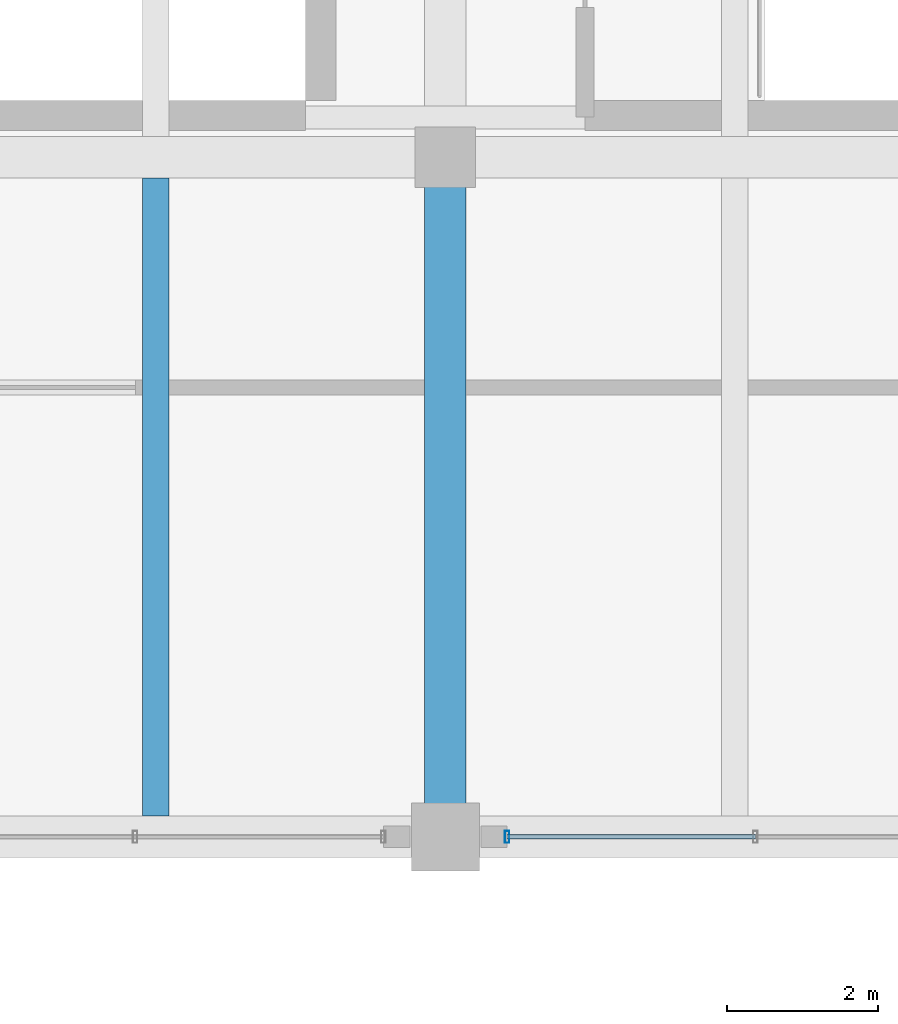
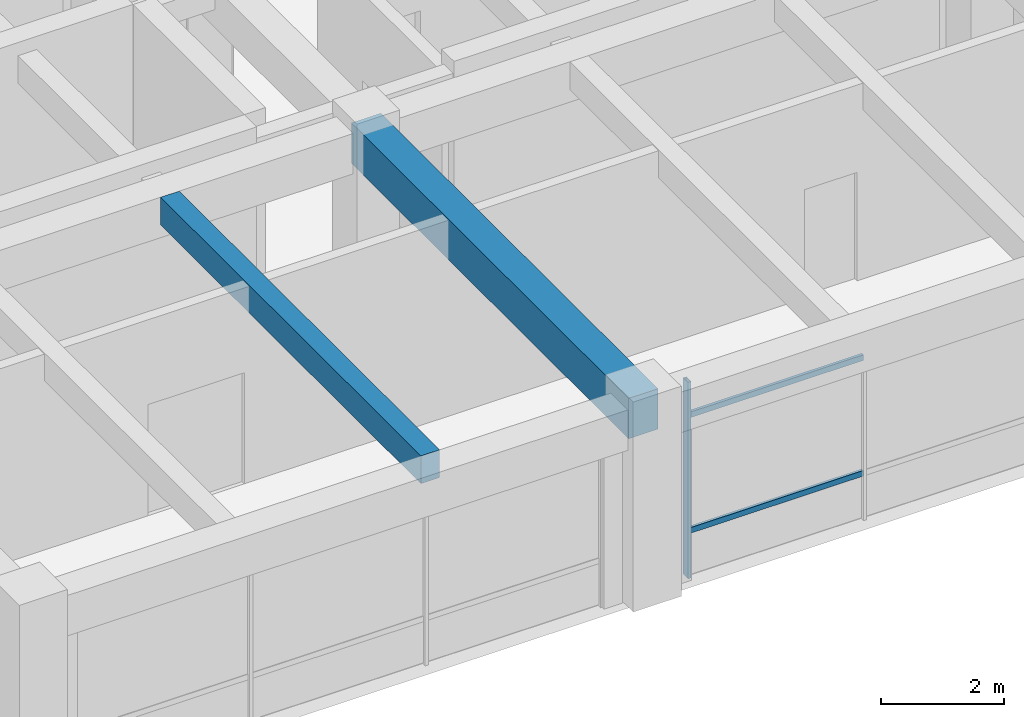
# One storey, part 4 of 33: 3 members, 2 beams, 1 element without a shape of its own.
"""IFC4 building model written with IfcOpenShell, lengths in metres."""

from ifc_helpers import new_model, si_unit, direction, frame, origin, origin_2d, place, context, subcontext, project, spatial, rectangle, hollow_rectangle, extrude, material, material_profile, profile_set, type_object, element, aggregate, save


model = new_model("IFC4")

# Units and contexts
model_context = context("Model", 3, precision=1e-05, world=origin(), true_north=direction((0.0, 1.0)))
body_context = subcontext(model_context, "Body", "Model", "MODEL_VIEW")
ifc_project = project(units=[si_unit("LENGTHUNIT", "METRE"), si_unit("AREAUNIT", "SQUARE_METRE"), si_unit("VOLUMEUNIT", "CUBIC_METRE"), si_unit("PLANEANGLEUNIT", "RADIAN"), si_unit("MASSUNIT", "GRAM", prefix="KILO")], contexts=[model_context])

# Site, building, storey
site_placement = place(None, origin())
site = spatial("IfcSite", under=ifc_project, at=site_placement, CompositionType="ELEMENT")
building_placement = place(site_placement, origin())
building = spatial("IfcBuilding", under=site, at=building_placement, Name="Ologun Quay Terminus", CompositionType="ELEMENT")
storey_placement = place(building_placement, frame((0.0, 0.0, 18.300048828125)))
storey = spatial("IfcBuildingStorey", under=building, at=storey_placement, Name="L04", CompositionType="ELEMENT", Elevation=18.300048828125)

# Curtain wall, members
ifc_material_1 = material(Name="Aluminium 6063-T6", Category="aluminium")
curtain_wall_type = type_object("IfcCurtainWallType", Name="Waterfront Pavilion Tea Salon Curtain Wall L04 10600x3800", PredefinedType="USERDEFINED", material=ifc_material_1)
curtain_wall_placement = place(storey_placement, origin())
curtain_wall = element("IfcCurtainWall", 1, at=curtain_wall_placement, inside=storey, type_object=curtain_wall_type, Name="CW-26 Curtain Wall CW-L04-116", ObjectType="UNITISED CURTAIN WALL", PredefinedType="USERDEFINED")
ifc_material_2 = material(Name="Aluminium 6063-T6", Category="aluminium")
ifc_material_profile_1 = material_profile(ifc_material_2, hollow_rectangle(XDim=0.06005859375, YDim=0.159912109375, WallThickness=0.00390625, at=origin_2d()), Name="ALU 160x60x4")
ifc_profile_set_1 = profile_set([ifc_material_profile_1], Name="Aluminium 6063-T6")
member_type_1 = type_object("IfcMemberType", Name="Courtyard Screen Mullion 160x65", PredefinedType="MULLION", material=ifc_profile_set_1)
member_1_placement = place(storey_placement, frame((35.320068359375, 85.800048828125, 0.0), z_axis=(0.0, 0.0, 1.0), x_axis=(1.0, 0.0, 0.0)))
member_1 = element("IfcMember", 2, at=member_1_placement, type_object=member_type_1, Name="CW-L04-116 Mullion 1", PredefinedType="MULLION", context=body_context, shape_type="SweptSolid", body=[
    extrude(hollow_rectangle(XDim=0.06005859375, YDim=0.159912109375, WallThickness=0.00390625, at=origin_2d()), origin(), (0.0, 0.0, 1.0), 3.889892578125),
])
ifc_material_3 = material(Name="Aluminium 6063-T6", Category="aluminium")
ifc_material_profile_2 = material_profile(ifc_material_3, hollow_rectangle(XDim=0.054931640625, YDim=0.110107421875, WallThickness=0.00390625, at=origin_2d()), Name="ALU 110x55x4")
ifc_profile_set_2 = profile_set([ifc_material_profile_2], Name="Aluminium 6063-T6")
member_type_2 = type_object("IfcMemberType", Name="Courtyard Screen Transom 110x55", PredefinedType="USERDEFINED", material=ifc_profile_set_2)
member_2_placement = place(storey_placement, frame((35.320068359375, 85.800048828125, 0.89990234375), z_axis=(1.0, 0.0, 0.0), x_axis=(0.0, 1.0, 0.0)))
member_2 = element("IfcMember", 3, at=member_2_placement, type_object=member_type_2, Name="CW-L04-116 Transom B1-1", ObjectType="TRANSOM", PredefinedType="USERDEFINED", context=body_context, shape_type="SweptSolid", body=[
    extrude(hollow_rectangle(XDim=0.054931640625, YDim=0.110107421875, WallThickness=0.00390625, at=origin_2d()), origin(), (0.0, 0.0, 1.0), 3.28662109375),
])
member_3_placement = place(storey_placement, frame((35.320068359375, 85.800048828125, 3.18994140625), z_axis=(1.0, 0.0, 0.0), x_axis=(0.0, 1.0, 0.0)))
member_3 = element("IfcMember", 4, at=member_3_placement, type_object=member_type_2, Name="CW-L04-116 Transom B1-2", ObjectType="TRANSOM", PredefinedType="USERDEFINED", context=body_context, shape_type="SweptSolid", body=[
    extrude(hollow_rectangle(XDim=0.054931640625, YDim=0.110107421875, WallThickness=0.00390625, at=origin_2d()), origin(), (0.0, 0.0, 1.0), 3.28662109375),
])
aggregate(curtain_wall, [member_1, member_2, member_3])

# Beams
ifc_material_4 = material(Name="Concrete C40/50", Category="concrete")
ifc_material_profile_3 = material_profile(ifc_material_4, rectangle(XDim=0.550048828125, YDim=0.800048828125, at=origin_2d()), Name="RC 550x800")
ifc_profile_set_3 = profile_set([ifc_material_profile_3], Name="Concrete C40/50")
beam_type_1 = type_object("IfcBeamType", Name="Courtyard Wing Primary Girder 550x800", PredefinedType="BEAM", material=ifc_profile_set_3)
beam_1_placement = place(storey_placement, frame((34.5, 85.800048828125, 3.5), z_axis=(0.0, 1.0, 0.0), x_axis=(-1.0, 0.0, 0.0)))
element("IfcBeam", 5, at=beam_1_placement, inside=storey, type_object=beam_type_1, Name="B4 Beam 4/G2 L04", PredefinedType="BEAM", context=body_context, shape_type="SweptSolid", body=[
    extrude(rectangle(XDim=0.550048828125, YDim=0.800048828125, at=origin_2d()), origin(), (0.0, 0.0, 1.0), 9.0),
])
ifc_material_5 = material(Name="Concrete C40/50", Category="concrete")
ifc_material_profile_4 = material_profile(ifc_material_5, rectangle(XDim=0.35009765625, YDim=0.550048828125, at=origin_2d()), Name="RC 350x550")
ifc_profile_set_4 = profile_set([ifc_material_profile_4], Name="Concrete C40/50")
beam_type_2 = type_object("IfcBeamType", Name="Courtyard Wing Secondary Joist 350x550", PredefinedType="JOIST", material=ifc_profile_set_4)
beam_2_placement = place(storey_placement, frame((30.666748046875, 86.074951171875, 3.625), z_axis=(0.0, 1.0, 0.0), x_axis=(-1.0, 0.0, 0.0)))
element("IfcBeam", 6, at=beam_2_placement, inside=storey, type_object=beam_type_2, Name="J2 Beam 3/G2 L04", PredefinedType="JOIST", context=body_context, shape_type="SweptSolid", body=[
    extrude(rectangle(XDim=0.35009765625, YDim=0.550048828125, at=origin_2d()), origin(), (0.0, 0.0, 1.0), 8.449951171875),
])

save(model, "model.ifc")
